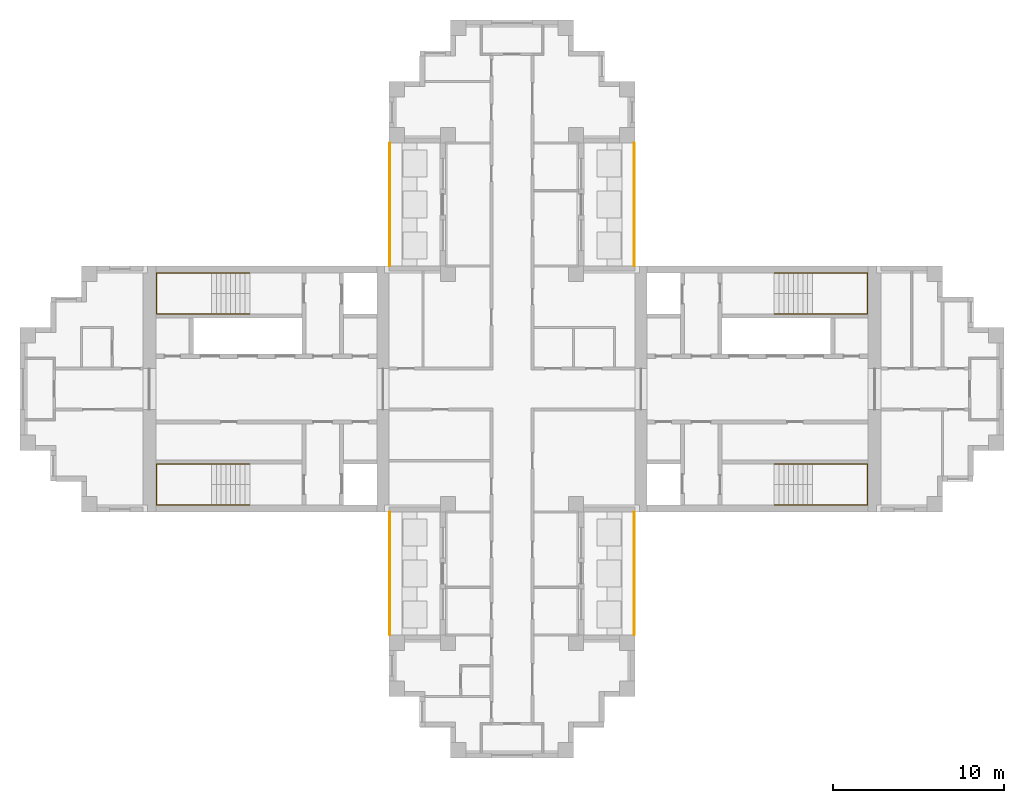
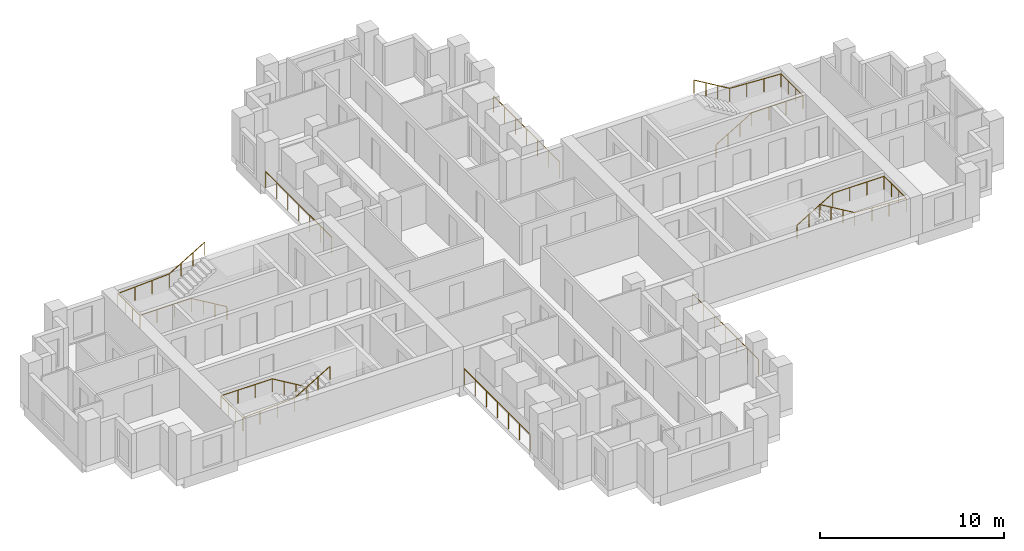
# One storey, part 8 of 9: 8 railings.
"""IFC4 building model written with IfcOpenShell, lengths in metres."""

from ifc_helpers import new_model, si_unit, direction, frame, origin, origin_2d, place, context, subcontext, project, spatial, circle, extrude, material, type_object, element, save


model = new_model("IFC4")

# Units and contexts
model_context = context("Model", 3, precision=1e-05, world=origin(), true_north=direction((0.0, 1.0)))
body_context = subcontext(model_context, "Body", "Model", "MODEL_VIEW")
ifc_project = project(units=[si_unit("LENGTHUNIT", "METRE"), si_unit("AREAUNIT", "SQUARE_METRE"), si_unit("VOLUMEUNIT", "CUBIC_METRE"), si_unit("PLANEANGLEUNIT", "RADIAN"), si_unit("MASSUNIT", "GRAM", prefix="KILO")], contexts=[model_context])

# Site, building, storey
site_placement = place(None, origin())
site = spatial("IfcSite", under=ifc_project, at=site_placement, CompositionType="ELEMENT")
building_placement = place(site_placement, origin())
building = spatial("IfcBuilding", under=site, at=building_placement, Name="Fustian Cross Tower", CompositionType="ELEMENT")
storey_placement = place(building_placement, frame((0.0, 0.0, 219.89990234375)))
storey = spatial("IfcBuildingStorey", under=building, at=storey_placement, Name="L69", CompositionType="ELEMENT", Elevation=219.89990234375)

# Railings
ifc_material_1 = material(Name="Stainless steel and glass", Category="steel")
railing_type_1 = type_object("IfcRailingType", Name="GR1 BALCONY GUARD 1100", PredefinedType="GUARDRAIL", material=ifc_material_1)
for number, where, name in (
    (1, (7.14990234375, 7.199951171875, 0.0), "Balcony guard"),
    (2, (-7.14990234375, 7.199951171875, 0.0), "Balcony guard"),
    (3, (7.14990234375, -14.39990234375, 0.0), "Balcony guard"),
    (4, (-7.14990234375, -14.39990234375, 0.0), "Balcony guard"),
):
    element("IfcRailing", number, at=place(storey_placement, frame(where)), inside=storey, type_object=railing_type_1, Name=name, PredefinedType="GUARDRAIL", context=body_context, shape_type="SweptSolid", body=[
        extrude(circle(Radius=0.02392578125, at=origin_2d()), frame((0.0, 0.0, 1.076171875), z_axis=(0.0, 1.0, 0.0), x_axis=(-1.0, 0.0, 0.0)), (0.0, 0.0, 1.0), 7.199951171875),
        extrude(circle(Radius=0.02099609375, at=origin_2d()), origin(), (0.0, 0.0, 1.0), 1.052001953125),
        extrude(circle(Radius=0.02099609375, at=origin_2d()), frame((0.0, 1.199951171875, 0.0)), (0.0, 0.0, 1.0), 1.052001953125),
        extrude(circle(Radius=0.02099609375, at=origin_2d()), frame((0.0, 2.39990234375, 0.0)), (0.0, 0.0, 1.0), 1.052001953125),
        extrude(circle(Radius=0.02099609375, at=origin_2d()), frame((0.0, 3.60009765625, 0.0)), (0.0, 0.0, 1.0), 1.052001953125),
        extrude(circle(Radius=0.02099609375, at=origin_2d()), frame((0.0, 4.800048828125, 0.0)), (0.0, 0.0, 1.0), 1.052001953125),
        extrude(circle(Radius=0.02099609375, at=origin_2d()), frame((0.0, 6.0, 0.0)), (0.0, 0.0, 1.0), 1.052001953125),
        extrude(circle(Radius=0.02099609375, at=origin_2d()), frame((0.0, 7.199951171875, 0.0)), (0.0, 0.0, 1.0), 1.052001953125),
    ])
ifc_material_2 = material(Name="Stainless steel", Category="steel")
railing_type_2 = type_object("IfcRailingType", Name="STAIR HANDRAIL", PredefinedType="HANDRAIL", material=ifc_material_2)
railing_1_placement = place(storey_placement, frame((15.35009765625, 4.39990234375, 0.166748046875)))
element("IfcRailing", 5, at=railing_1_placement, inside=storey, type_object=railing_type_2, Name="Stair ST1 handrail 1", PredefinedType="HANDRAIL", context=body_context, shape_type="SweptSolid", body=[
    extrude(circle(Radius=0.02490234375, at=origin_2d()), frame((0.0, 0.0, 0.875), z_axis=(0.859305625298, 0.0, 0.511462454469), x_axis=(0.0, 1.0, 0.0)), (0.0, 0.0, 1.0), 2.606689453125),
    extrude(circle(Radius=0.02490234375, at=origin_2d()), frame((2.239990234375, 0.0, 2.2080078125), z_axis=(1.0, 0.0, 0.0), x_axis=(0.0, 1.0, 0.0)), (0.0, 0.0, 1.0), 3.219970703125),
    extrude(circle(Radius=0.02490234375, at=origin_2d()), frame((5.4599609375, 0.0, 2.2080078125), z_axis=(0.0, 1.0, 0.0), x_axis=(-1.0, 0.0, 0.0)), (0.0, 0.0, 1.0), 2.400146484375),
    extrude(circle(Radius=0.02490234375, at=origin_2d()), frame((5.4599609375, 2.400146484375, 2.2080078125), z_axis=(-0.998661817807, 0.0, 0.051716280352), x_axis=(0.0, -1.0, 0.0)), (0.0, 0.0, 1.0), 3.224365234375),
    extrude(circle(Radius=0.02490234375, at=origin_2d()), frame((2.239990234375, 2.400146484375, 2.375), z_axis=(-0.859305625298, 0.0, 0.511462454469), x_axis=(0.0, -1.0, 0.0)), (0.0, 0.0, 1.0), 2.606689453125),
    extrude(circle(Radius=0.02001953125, at=origin_2d()), origin(), (0.0, 0.0, 1.0), 0.849853515625),
    extrude(circle(Radius=0.02001953125, at=origin_2d()), frame((0.74658203125, 0.0, 0.4443359375)), (0.0, 0.0, 1.0), 0.849853515625),
    extrude(circle(Radius=0.02001953125, at=origin_2d()), frame((1.493408203125, 0.0, 0.888916015625)), (0.0, 0.0, 1.0), 0.849853515625),
    extrude(circle(Radius=0.02001953125, at=origin_2d()), frame((2.239990234375, 0.0, 1.333251953125)), (0.0, 0.0, 1.0), 0.849853515625),
    extrude(circle(Radius=0.02001953125, at=origin_2d()), frame((3.313232421875, 0.0, 1.333251953125)), (0.0, 0.0, 1.0), 0.849853515625),
    extrude(circle(Radius=0.02001953125, at=origin_2d()), frame((4.38671875, 0.0, 1.333251953125)), (0.0, 0.0, 1.0), 0.849853515625),
    extrude(circle(Radius=0.02001953125, at=origin_2d()), frame((5.4599609375, 0.0, 1.333251953125)), (0.0, 0.0, 1.0), 0.849853515625),
    extrude(circle(Radius=0.02001953125, at=origin_2d()), frame((5.4599609375, 0.800048828125, 1.333251953125)), (0.0, 0.0, 1.0), 0.849853515625),
    extrude(circle(Radius=0.02001953125, at=origin_2d()), frame((5.4599609375, 1.60009765625, 1.333251953125)), (0.0, 0.0, 1.0), 0.849853515625),
    extrude(circle(Radius=0.02001953125, at=origin_2d()), frame((5.4599609375, 2.400146484375, 1.333251953125)), (0.0, 0.0, 1.0), 0.849853515625),
    extrude(circle(Radius=0.02001953125, at=origin_2d()), frame((4.38671875, 2.400146484375, 1.388916015625)), (0.0, 0.0, 1.0), 0.849853515625),
    extrude(circle(Radius=0.02001953125, at=origin_2d()), frame((3.313232421875, 2.400146484375, 1.4443359375)), (0.0, 0.0, 1.0), 0.849853515625),
    extrude(circle(Radius=0.02001953125, at=origin_2d()), frame((2.239990234375, 2.400146484375, 1.5)), (0.0, 0.0, 1.0), 0.849853515625),
    extrude(circle(Radius=0.02001953125, at=origin_2d()), frame((1.493408203125, 2.400146484375, 1.9443359375)), (0.0, 0.0, 1.0), 0.849853515625),
    extrude(circle(Radius=0.02001953125, at=origin_2d()), frame((0.74658203125, 2.400146484375, 2.388916015625)), (0.0, 0.0, 1.0), 0.849853515625),
    extrude(circle(Radius=0.02001953125, at=origin_2d()), frame((0.0, 2.400146484375, 2.833251953125)), (0.0, 0.0, 1.0), 0.849853515625),
])
railing_2_placement = place(storey_placement, frame((15.35009765625, -4.39990234375, 0.166748046875)))
element("IfcRailing", 6, at=railing_2_placement, inside=storey, type_object=railing_type_2, Name="Stair ST2 handrail 1", PredefinedType="HANDRAIL", context=body_context, shape_type="SweptSolid", body=[
    extrude(circle(Radius=0.02490234375, at=origin_2d()), frame((0.0, 0.0, 0.875), z_axis=(0.859305625298, 0.0, 0.511462454469), x_axis=(0.0, 1.0, 0.0)), (0.0, 0.0, 1.0), 2.606689453125),
    extrude(circle(Radius=0.02490234375, at=origin_2d()), frame((2.239990234375, 0.0, 2.2080078125), z_axis=(1.0, 0.0, 0.0), x_axis=(0.0, 1.0, 0.0)), (0.0, 0.0, 1.0), 3.219970703125),
    extrude(circle(Radius=0.02490234375, at=origin_2d()), frame((5.4599609375, 0.0, 2.2080078125), z_axis=(0.0, -1.0, 0.0), x_axis=(1.0, 0.0, 0.0)), (0.0, 0.0, 1.0), 2.400146484375),
    extrude(circle(Radius=0.02490234375, at=origin_2d()), frame((5.4599609375, -2.400146484375, 2.2080078125), z_axis=(-0.998661817807, 0.0, 0.051716280352), x_axis=(0.0, -1.0, 0.0)), (0.0, 0.0, 1.0), 3.224365234375),
    extrude(circle(Radius=0.02490234375, at=origin_2d()), frame((2.239990234375, -2.400146484375, 2.375), z_axis=(-0.859305625298, 0.0, 0.511462454469), x_axis=(0.0, -1.0, 0.0)), (0.0, 0.0, 1.0), 2.606689453125),
    extrude(circle(Radius=0.02001953125, at=origin_2d()), origin(), (0.0, 0.0, 1.0), 0.849853515625),
    extrude(circle(Radius=0.02001953125, at=origin_2d()), frame((0.74658203125, 0.0, 0.4443359375)), (0.0, 0.0, 1.0), 0.849853515625),
    extrude(circle(Radius=0.02001953125, at=origin_2d()), frame((1.493408203125, 0.0, 0.888916015625)), (0.0, 0.0, 1.0), 0.849853515625),
    extrude(circle(Radius=0.02001953125, at=origin_2d()), frame((2.239990234375, 0.0, 1.333251953125)), (0.0, 0.0, 1.0), 0.849853515625),
    extrude(circle(Radius=0.02001953125, at=origin_2d()), frame((3.313232421875, 0.0, 1.333251953125)), (0.0, 0.0, 1.0), 0.849853515625),
    extrude(circle(Radius=0.02001953125, at=origin_2d()), frame((4.38671875, 0.0, 1.333251953125)), (0.0, 0.0, 1.0), 0.849853515625),
    extrude(circle(Radius=0.02001953125, at=origin_2d()), frame((5.4599609375, 0.0, 1.333251953125)), (0.0, 0.0, 1.0), 0.849853515625),
    extrude(circle(Radius=0.02001953125, at=origin_2d()), frame((5.4599609375, -0.800048828125, 1.333251953125)), (0.0, 0.0, 1.0), 0.849853515625),
    extrude(circle(Radius=0.02001953125, at=origin_2d()), frame((5.4599609375, -1.60009765625, 1.333251953125)), (0.0, 0.0, 1.0), 0.849853515625),
    extrude(circle(Radius=0.02001953125, at=origin_2d()), frame((5.4599609375, -2.400146484375, 1.333251953125)), (0.0, 0.0, 1.0), 0.849853515625),
    extrude(circle(Radius=0.02001953125, at=origin_2d()), frame((4.38671875, -2.400146484375, 1.388916015625)), (0.0, 0.0, 1.0), 0.849853515625),
    extrude(circle(Radius=0.02001953125, at=origin_2d()), frame((3.313232421875, -2.400146484375, 1.4443359375)), (0.0, 0.0, 1.0), 0.849853515625),
    extrude(circle(Radius=0.02001953125, at=origin_2d()), frame((2.239990234375, -2.400146484375, 1.5)), (0.0, 0.0, 1.0), 0.849853515625),
    extrude(circle(Radius=0.02001953125, at=origin_2d()), frame((1.493408203125, -2.400146484375, 1.9443359375)), (0.0, 0.0, 1.0), 0.849853515625),
    extrude(circle(Radius=0.02001953125, at=origin_2d()), frame((0.74658203125, -2.400146484375, 2.388916015625)), (0.0, 0.0, 1.0), 0.849853515625),
    extrude(circle(Radius=0.02001953125, at=origin_2d()), frame((0.0, -2.400146484375, 2.833251953125)), (0.0, 0.0, 1.0), 0.849853515625),
])
railing_3_placement = place(storey_placement, frame((-15.35009765625, 4.39990234375, 0.166748046875)))
element("IfcRailing", 7, at=railing_3_placement, inside=storey, type_object=railing_type_2, Name="Stair ST3 handrail 1", PredefinedType="HANDRAIL", context=body_context, shape_type="SweptSolid", body=[
    extrude(circle(Radius=0.02490234375, at=origin_2d()), frame((0.0, 0.0, 0.875), z_axis=(-0.859305625298, 0.0, 0.511462454469), x_axis=(0.0, -1.0, 0.0)), (0.0, 0.0, 1.0), 2.606689453125),
    extrude(circle(Radius=0.02490234375, at=origin_2d()), frame((-2.239990234375, 0.0, 2.2080078125), z_axis=(-1.0, 0.0, 0.0), x_axis=(0.0, -1.0, 0.0)), (0.0, 0.0, 1.0), 3.219970703125),
    extrude(circle(Radius=0.02490234375, at=origin_2d()), frame((-5.4599609375, 0.0, 2.2080078125), z_axis=(0.0, 1.0, 0.0), x_axis=(-1.0, 0.0, 0.0)), (0.0, 0.0, 1.0), 2.400146484375),
    extrude(circle(Radius=0.02490234375, at=origin_2d()), frame((-5.4599609375, 2.400146484375, 2.2080078125), z_axis=(0.998661817807, 0.0, 0.051716280352), x_axis=(0.0, 1.0, 0.0)), (0.0, 0.0, 1.0), 3.224365234375),
    extrude(circle(Radius=0.02490234375, at=origin_2d()), frame((-2.239990234375, 2.400146484375, 2.375), z_axis=(0.859305625298, 0.0, 0.511462454469), x_axis=(0.0, 1.0, 0.0)), (0.0, 0.0, 1.0), 2.606689453125),
    extrude(circle(Radius=0.02001953125, at=origin_2d()), origin(), (0.0, 0.0, 1.0), 0.849853515625),
    extrude(circle(Radius=0.02001953125, at=origin_2d()), frame((-0.74658203125, 0.0, 0.4443359375)), (0.0, 0.0, 1.0), 0.849853515625),
    extrude(circle(Radius=0.02001953125, at=origin_2d()), frame((-1.493408203125, 0.0, 0.888916015625)), (0.0, 0.0, 1.0), 0.849853515625),
    extrude(circle(Radius=0.02001953125, at=origin_2d()), frame((-2.239990234375, 0.0, 1.333251953125)), (0.0, 0.0, 1.0), 0.849853515625),
    extrude(circle(Radius=0.02001953125, at=origin_2d()), frame((-3.313232421875, 0.0, 1.333251953125)), (0.0, 0.0, 1.0), 0.849853515625),
    extrude(circle(Radius=0.02001953125, at=origin_2d()), frame((-4.38671875, 0.0, 1.333251953125)), (0.0, 0.0, 1.0), 0.849853515625),
    extrude(circle(Radius=0.02001953125, at=origin_2d()), frame((-5.4599609375, 0.0, 1.333251953125)), (0.0, 0.0, 1.0), 0.849853515625),
    extrude(circle(Radius=0.02001953125, at=origin_2d()), frame((-5.4599609375, 0.800048828125, 1.333251953125)), (0.0, 0.0, 1.0), 0.849853515625),
    extrude(circle(Radius=0.02001953125, at=origin_2d()), frame((-5.4599609375, 1.60009765625, 1.333251953125)), (0.0, 0.0, 1.0), 0.849853515625),
    extrude(circle(Radius=0.02001953125, at=origin_2d()), frame((-5.4599609375, 2.400146484375, 1.333251953125)), (0.0, 0.0, 1.0), 0.849853515625),
    extrude(circle(Radius=0.02001953125, at=origin_2d()), frame((-4.38671875, 2.400146484375, 1.388916015625)), (0.0, 0.0, 1.0), 0.849853515625),
    extrude(circle(Radius=0.02001953125, at=origin_2d()), frame((-3.313232421875, 2.400146484375, 1.4443359375)), (0.0, 0.0, 1.0), 0.849853515625),
    extrude(circle(Radius=0.02001953125, at=origin_2d()), frame((-2.239990234375, 2.400146484375, 1.5)), (0.0, 0.0, 1.0), 0.849853515625),
    extrude(circle(Radius=0.02001953125, at=origin_2d()), frame((-1.493408203125, 2.400146484375, 1.9443359375)), (0.0, 0.0, 1.0), 0.849853515625),
    extrude(circle(Radius=0.02001953125, at=origin_2d()), frame((-0.74658203125, 2.400146484375, 2.388916015625)), (0.0, 0.0, 1.0), 0.849853515625),
    extrude(circle(Radius=0.02001953125, at=origin_2d()), frame((0.0, 2.400146484375, 2.833251953125)), (0.0, 0.0, 1.0), 0.849853515625),
])
railing_4_placement = place(storey_placement, frame((-15.35009765625, -4.39990234375, 0.166748046875)))
element("IfcRailing", 8, at=railing_4_placement, inside=storey, type_object=railing_type_2, Name="Stair ST4 handrail 1", PredefinedType="HANDRAIL", context=body_context, shape_type="SweptSolid", body=[
    extrude(circle(Radius=0.02490234375, at=origin_2d()), frame((0.0, 0.0, 0.875), z_axis=(-0.859305625298, 0.0, 0.511462454469), x_axis=(0.0, -1.0, 0.0)), (0.0, 0.0, 1.0), 2.606689453125),
    extrude(circle(Radius=0.02490234375, at=origin_2d()), frame((-2.239990234375, 0.0, 2.2080078125), z_axis=(-1.0, 0.0, 0.0), x_axis=(0.0, -1.0, 0.0)), (0.0, 0.0, 1.0), 3.219970703125),
    extrude(circle(Radius=0.02490234375, at=origin_2d()), frame((-5.4599609375, 0.0, 2.2080078125), z_axis=(0.0, -1.0, 0.0), x_axis=(1.0, 0.0, 0.0)), (0.0, 0.0, 1.0), 2.400146484375),
    extrude(circle(Radius=0.02490234375, at=origin_2d()), frame((-5.4599609375, -2.400146484375, 2.2080078125), z_axis=(0.998661817807, 0.0, 0.051716280352), x_axis=(0.0, 1.0, 0.0)), (0.0, 0.0, 1.0), 3.224365234375),
    extrude(circle(Radius=0.02490234375, at=origin_2d()), frame((-2.239990234375, -2.400146484375, 2.375), z_axis=(0.859305625298, 0.0, 0.511462454469), x_axis=(0.0, 1.0, 0.0)), (0.0, 0.0, 1.0), 2.606689453125),
    extrude(circle(Radius=0.02001953125, at=origin_2d()), origin(), (0.0, 0.0, 1.0), 0.849853515625),
    extrude(circle(Radius=0.02001953125, at=origin_2d()), frame((-0.74658203125, 0.0, 0.4443359375)), (0.0, 0.0, 1.0), 0.849853515625),
    extrude(circle(Radius=0.02001953125, at=origin_2d()), frame((-1.493408203125, 0.0, 0.888916015625)), (0.0, 0.0, 1.0), 0.849853515625),
    extrude(circle(Radius=0.02001953125, at=origin_2d()), frame((-2.239990234375, 0.0, 1.333251953125)), (0.0, 0.0, 1.0), 0.849853515625),
    extrude(circle(Radius=0.02001953125, at=origin_2d()), frame((-3.313232421875, 0.0, 1.333251953125)), (0.0, 0.0, 1.0), 0.849853515625),
    extrude(circle(Radius=0.02001953125, at=origin_2d()), frame((-4.38671875, 0.0, 1.333251953125)), (0.0, 0.0, 1.0), 0.849853515625),
    extrude(circle(Radius=0.02001953125, at=origin_2d()), frame((-5.4599609375, 0.0, 1.333251953125)), (0.0, 0.0, 1.0), 0.849853515625),
    extrude(circle(Radius=0.02001953125, at=origin_2d()), frame((-5.4599609375, -0.800048828125, 1.333251953125)), (0.0, 0.0, 1.0), 0.849853515625),
    extrude(circle(Radius=0.02001953125, at=origin_2d()), frame((-5.4599609375, -1.60009765625, 1.333251953125)), (0.0, 0.0, 1.0), 0.849853515625),
    extrude(circle(Radius=0.02001953125, at=origin_2d()), frame((-5.4599609375, -2.400146484375, 1.333251953125)), (0.0, 0.0, 1.0), 0.849853515625),
    extrude(circle(Radius=0.02001953125, at=origin_2d()), frame((-4.38671875, -2.400146484375, 1.388916015625)), (0.0, 0.0, 1.0), 0.849853515625),
    extrude(circle(Radius=0.02001953125, at=origin_2d()), frame((-3.313232421875, -2.400146484375, 1.4443359375)), (0.0, 0.0, 1.0), 0.849853515625),
    extrude(circle(Radius=0.02001953125, at=origin_2d()), frame((-2.239990234375, -2.400146484375, 1.5)), (0.0, 0.0, 1.0), 0.849853515625),
    extrude(circle(Radius=0.02001953125, at=origin_2d()), frame((-1.493408203125, -2.400146484375, 1.9443359375)), (0.0, 0.0, 1.0), 0.849853515625),
    extrude(circle(Radius=0.02001953125, at=origin_2d()), frame((-0.74658203125, -2.400146484375, 2.388916015625)), (0.0, 0.0, 1.0), 0.849853515625),
    extrude(circle(Radius=0.02001953125, at=origin_2d()), frame((0.0, -2.400146484375, 2.833251953125)), (0.0, 0.0, 1.0), 0.849853515625),
])

save(model, "model.ifc")
